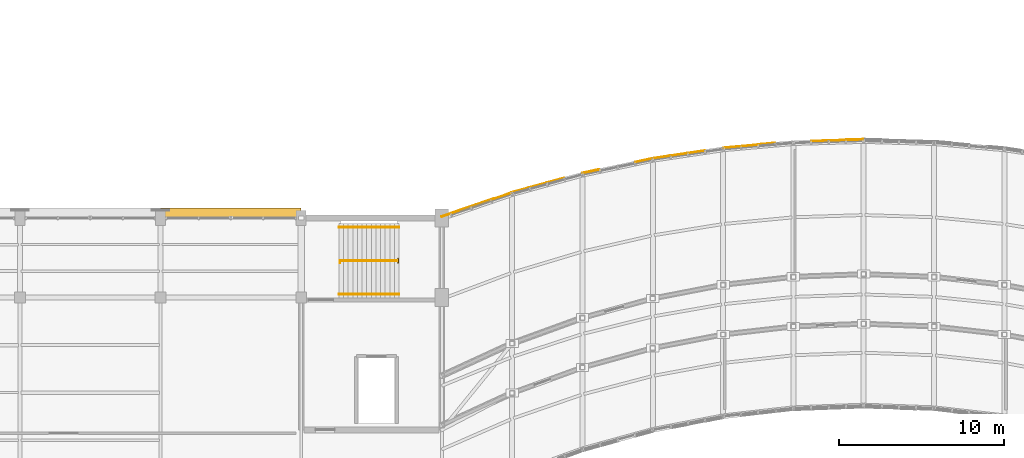
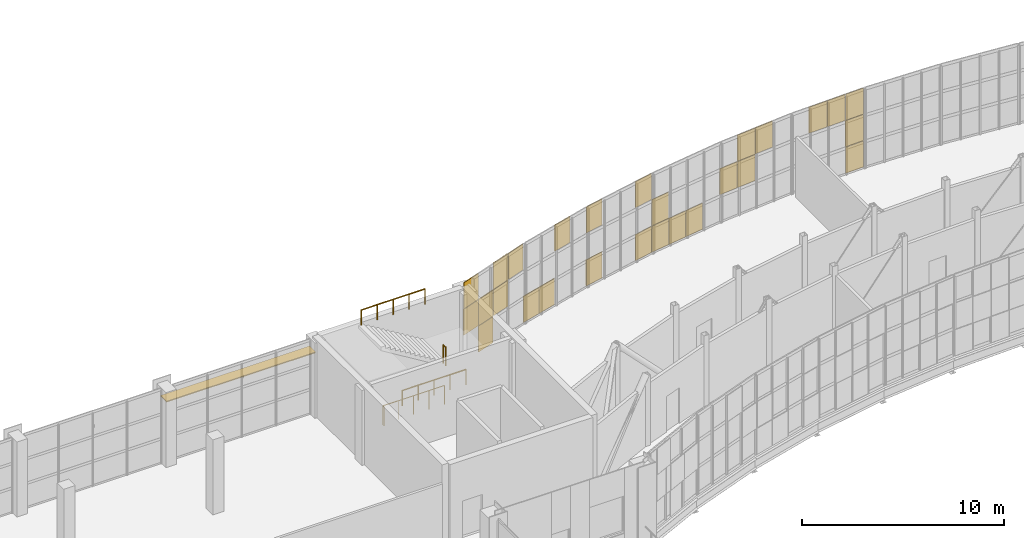
# One storey, part 81 of 86: 27 coverings, 4 railings, 1 shading device.
"""IFC4 building model written with IfcOpenShell, lengths in metres."""

from ifc_helpers import new_model, si_unit, direction, frame, origin, origin_2d, place, context, subcontext, project, spatial, rectangle, hollow_rectangle, circle, extrude, material, layer, layer_set, material_profile, profile_set, type_object, element, save


model = new_model("IFC4")

# Units and contexts
model_context = context("Model", 3, precision=1e-05, world=origin(), true_north=direction((0.0, 1.0)))
body_context = subcontext(model_context, "Body", "Model", "MODEL_VIEW")
ifc_project = project(units=[si_unit("LENGTHUNIT", "METRE"), si_unit("AREAUNIT", "SQUARE_METRE"), si_unit("VOLUMEUNIT", "CUBIC_METRE"), si_unit("PLANEANGLEUNIT", "RADIAN"), si_unit("MASSUNIT", "GRAM", prefix="KILO")], contexts=[model_context])

# Site, building, storey
site_placement = place(None, origin())
site = spatial("IfcSite", under=ifc_project, at=site_placement, CompositionType="ELEMENT")
building_placement = place(site_placement, origin())
building = spatial("IfcBuilding", under=site, at=building_placement, Name="Solvikara Media Centre", CompositionType="ELEMENT")
storey_placement = place(building_placement, frame((0.0, 0.0, 15.0)))
storey = spatial("IfcBuildingStorey", under=building, at=storey_placement, Name="L03", CompositionType="ELEMENT", Elevation=15.0)

# Coverings
ifc_material_1 = material(Name="GFRC white mineral architectural rainscreen panel")
ifc_layer_1 = layer(ifc_material_1, 0.050048828125)
ifc_layer_set_1 = layer_set([ifc_layer_1], Name="GFRC white mineral architectural rainscreen panel")
covering_type_1 = type_object("IfcCoveringType", Name="CV-04", PredefinedType="CLADDING", material=ifc_layer_set_1)
for number, where, z_axis, x_axis, name in (
    (1, (77.0009765625, 37.072021484375, 1.61474609375), (0.0, 0.0, 1.0), (0.945807995037, 0.324726402566, 0.0), "CW-L03-NARC-00-SF-01"),
    (2, (78.06298828125, 37.43603515625, 0.01513671875), (0.0, 0.0, 1.0), (0.945807995037, 0.324726402566, 0.0), "CW-L03-NARC-00-SF-10"),
    (3, (78.06298828125, 37.43603515625, 1.61474609375), (0.0, 0.0, 1.0), (0.945807995037, 0.324726402566, 0.0), "CW-L03-NARC-00-SF-11"),
    (4, (79.1259765625, 37.802001953125, 1.61474609375), (0.0, 0.0, 1.0), (0.945807995037, 0.324726402566, 0.0), "CW-L03-NARC-00-SF-21"),
    (5, (79.1259765625, 37.802001953125, 3.21484375), (0.0, 0.0, 1.0), (0.945807995037, 0.324726402566, 0.0), "CW-L03-NARC-00-SF-22"),
):
    element("IfcCovering", number, at=place(storey_placement, frame(where, z_axis=z_axis, x_axis=x_axis)), inside=storey, type_object=covering_type_1, Name=name, PredefinedType="CLADDING", context=body_context, shape_type="SweptSolid", body=[
        extrude(rectangle(XDim=1.093017578125, YDim=0.050048828125, at=origin_2d()), origin(), (0.0, 0.0, 1.0), 1.570068359375),
    ])
covering_1_placement = place(storey_placement, frame((81.256103515625, 38.4970703125, 0.01513671875), z_axis=(0.0, 0.0, 1.0), x_axis=(0.964289807992, 0.26484932736, 0.0)))
element("IfcCovering", 6, at=covering_1_placement, inside=storey, type_object=covering_type_1, Name="CW-L03-NARC-01-SF-00", PredefinedType="CLADDING", context=body_context, shape_type="SweptSolid", body=[
    extrude(rectangle(XDim=1.072021484375, YDim=0.050048828125, at=origin_2d()), origin(), (0.0, 0.0, 1.0), 1.570068359375),
])
for number, where, z_axis, x_axis, name in (
    (7, (82.319091796875, 38.7900390625, 0.01513671875), (0.0, 0.0, 1.0), (0.964049041264, 0.265724379832, 0.0), "CW-L03-NARC-01-SF-10"),
    (8, (83.381103515625, 39.08203125, 3.21484375), (0.0, 0.0, 1.0), (0.964049041264, 0.265724379832, 0.0), "CW-L03-NARC-01-SF-22"),
):
    element("IfcCovering", number, at=place(storey_placement, frame(where, z_axis=z_axis, x_axis=x_axis)), inside=storey, type_object=covering_type_1, Name=name, PredefinedType="CLADDING", context=body_context, shape_type="SweptSolid", body=[
        extrude(rectangle(XDim=1.072998046875, YDim=0.050048828125, at=origin_2d()), origin(), (0.0, 0.0, 1.0), 1.570068359375),
    ])
covering_2_placement = place(storey_placement, frame((85.511962890625, 39.635009765625, 0.01513671875), z_axis=(0.0, 0.0, 1.0), x_axis=(0.978447760018, 0.206494505776, 0.0)))
element("IfcCovering", 9, at=covering_2_placement, inside=storey, type_object=covering_type_1, Name="CW-L03-NARC-02-SF-00", PredefinedType="CLADDING", context=body_context, shape_type="SweptSolid", body=[
    extrude(rectangle(XDim=1.055908203125, YDim=0.050048828125, at=origin_2d()), origin(), (0.0, 0.0, 1.0), 1.570068359375),
])
covering_3_placement = place(storey_placement, frame((96.14794921875, 41.29296875, 3.21484375), z_axis=(0.0, 0.0, 1.0), x_axis=(0.996050368938, 0.088789991203, 0.0)))
element("IfcCovering", 10, at=covering_3_placement, inside=storey, type_object=covering_type_1, Name="CW-L03-NARC-04-SF-22", PredefinedType="CLADDING", context=body_context, shape_type="SweptSolid", body=[
    extrude(rectangle(XDim=1.035888671875, YDim=0.050048828125, at=origin_2d()), origin(), (0.0, 0.0, 1.0), 1.570068359375),
])
covering_4_placement = place(storey_placement, frame((101.466064453125, 41.5458984375, 1.61474609375), z_axis=(0.0, 0.0, 1.0), x_axis=(0.999548919735, 0.030032599908, 0.0)))
element("IfcCovering", 11, at=covering_4_placement, inside=storey, type_object=covering_type_1, Name="CW-L03-NARC-05-SF-31", PredefinedType="CLADDING", context=body_context, shape_type="SweptSolid", body=[
    extrude(rectangle(XDim=1.031982421875, YDim=0.050048828125, at=origin_2d()), origin(), (0.0, 0.0, 1.0), 1.570068359375),
])
ifc_material_2 = material(Name="Insulated silver-pearl glass spandrel panel", Category="glass")
ifc_layer_2 = layer(ifc_material_2, 0.034912109375)
ifc_layer_set_2 = layer_set([ifc_layer_2], Name="Insulated silver-pearl glass spandrel panel")
covering_type_2 = type_object("IfcCoveringType", Name="CV-06", PredefinedType="CLADDING", material=ifc_layer_set_2)
covering_5_placement = place(storey_placement, frame((77.00390625, 37.06201171875, 3.21484375), z_axis=(0.0, 0.0, 1.0), x_axis=(0.945529939496, 0.325535149434, 0.0)))
element("IfcCovering", 12, at=covering_5_placement, inside=storey, type_object=covering_type_2, Name="CW-L03-NARC-00-PX-02", PredefinedType="CLADDING", context=body_context, shape_type="SweptSolid", body=[
    extrude(rectangle(XDim=1.093994140625, YDim=0.034912109375, at=origin_2d()), origin(), (0.0, 0.0, 1.0), 1.570068359375),
])
covering_6_placement = place(storey_placement, frame((80.19189453125, 38.156982421875, 3.21484375), z_axis=(0.0, 0.0, 1.0), x_axis=(0.945626486098, 0.325254590729, 0.0)))
element("IfcCovering", 13, at=covering_6_placement, inside=storey, type_object=covering_type_2, Name="CW-L03-NARC-00-PX-32", PredefinedType="CLADDING", context=body_context, shape_type="SweptSolid", body=[
    extrude(rectangle(XDim=1.094970703125, YDim=0.034912109375, at=origin_2d()), origin(), (0.0, 0.0, 1.0), 1.570068359375),
])
for number, where, z_axis, x_axis, name in (
    (14, (85.512939453125, 39.6259765625, 3.21484375), (0.0, 0.0, 1.0), (0.978256328953, 0.207399505455, 0.0), "CW-L03-NARC-02-PX-02"),
    (15, (88.701904296875, 40.299072265625, 0.01513671875), (0.0, 0.0, 1.0), (0.978447760018, 0.206494505776, 0.0), "CW-L03-NARC-02-PX-30"),
    (16, (88.701904296875, 40.299072265625, 3.21484375), (0.0, 0.0, 1.0), (0.978447760018, 0.206494505776, 0.0), "CW-L03-NARC-02-PX-32"),
):
    element("IfcCovering", number, at=place(storey_placement, frame(where, z_axis=z_axis, x_axis=x_axis)), inside=storey, type_object=covering_type_2, Name=name, PredefinedType="CLADDING", context=body_context, shape_type="SweptSolid", body=[
        extrude(rectangle(XDim=1.055908203125, YDim=0.034912109375, at=origin_2d()), origin(), (0.0, 0.0, 1.0), 1.570068359375),
    ])
for number, where, z_axis, x_axis, name in (
    (17, (89.76806640625, 40.491943359375, 0.01513671875), (0.0, 0.0, 1.0), (0.988930567215, 0.148379018826, 0.0), "CW-L03-NARC-03-PX-00"),
    (18, (89.76806640625, 40.491943359375, 1.61474609375), (0.0, 0.0, 1.0), (0.988930567215, 0.148379018826, 0.0), "CW-L03-NARC-03-PX-01"),
):
    element("IfcCovering", number, at=place(storey_placement, frame(where, z_axis=z_axis, x_axis=x_axis)), inside=storey, type_object=covering_type_2, Name=name, PredefinedType="CLADDING", context=body_context, shape_type="SweptSolid", body=[
        extrude(rectangle(XDim=1.044921875, YDim=0.034912109375, at=origin_2d()), origin(), (0.0, 0.0, 1.0), 1.570068359375),
    ])
for number, where, z_axis, x_axis, name in (
    (19, (90.83203125, 40.64990234375, 0.01513671875), (0.0, 0.0, 1.0), (0.989069971909, 0.147446907963, 0.0), "CW-L03-NARC-03-PX-10"),
    (20, (91.89306640625, 40.80908203125, 0.01513671875), (0.0, 0.0, 1.0), (0.989069971909, 0.147446907963, 0.0), "CW-L03-NARC-03-PX-20"),
):
    element("IfcCovering", number, at=place(storey_placement, frame(where, z_axis=z_axis, x_axis=x_axis)), inside=storey, type_object=covering_type_2, Name=name, PredefinedType="CLADDING", context=body_context, shape_type="SweptSolid", body=[
        extrude(rectangle(XDim=1.0439453125, YDim=0.034912109375, at=origin_2d()), origin(), (0.0, 0.0, 1.0), 1.570068359375),
    ])
covering_7_placement = place(storey_placement, frame((94.02392578125, 41.094970703125, 1.61474609375), z_axis=(0.0, 0.0, 1.0), x_axis=(0.996050368938, 0.088789991203, 0.0)))
element("IfcCovering", 21, at=covering_7_placement, inside=storey, type_object=covering_type_2, Name="CW-L03-NARC-04-PX-01", PredefinedType="CLADDING", context=body_context, shape_type="SweptSolid", body=[
    extrude(rectangle(XDim=1.035888671875, YDim=0.034912109375, at=origin_2d()), origin(), (0.0, 0.0, 1.0), 1.570068359375),
])
for number, where, z_axis, x_axis, name in (
    (22, (95.0869140625, 41.18896484375, 1.61474609375), (0.0, 0.0, 1.0), (0.996058113534, 0.088703069073, 0.0), "CW-L03-NARC-04-PX-11"),
    (23, (95.0869140625, 41.18896484375, 3.21484375), (0.0, 0.0, 1.0), (0.996058113534, 0.088703069073, 0.0), "CW-L03-NARC-04-PX-12"),
):
    element("IfcCovering", number, at=place(storey_placement, frame(where, z_axis=z_axis, x_axis=x_axis)), inside=storey, type_object=covering_type_2, Name=name, PredefinedType="CLADDING", context=body_context, shape_type="SweptSolid", body=[
        extrude(rectangle(XDim=1.037109375, YDim=0.034912109375, at=origin_2d()), origin(), (0.0, 0.0, 1.0), 1.570068359375),
    ])
covering_8_placement = place(storey_placement, frame((99.341064453125, 41.471923828125, 3.21484375), z_axis=(0.0, 0.0, 1.0), x_axis=(0.999549967461, 0.02999770905, 0.0)))
element("IfcCovering", 24, at=covering_8_placement, inside=storey, type_object=covering_type_2, Name="CW-L03-NARC-05-PX-12", PredefinedType="CLADDING", context=body_context, shape_type="SweptSolid", body=[
    extrude(rectangle(XDim=1.032958984375, YDim=0.034912109375, at=origin_2d()), origin(), (0.0, 0.0, 1.0), 1.570068359375),
])
covering_9_placement = place(storey_placement, frame((100.404052734375, 41.50390625, 3.21484375), z_axis=(0.0, 0.0, 1.0), x_axis=(0.999548919735, 0.030032599908, 0.0)))
element("IfcCovering", 25, at=covering_9_placement, inside=storey, type_object=covering_type_2, Name="CW-L03-NARC-05-PX-22", PredefinedType="CLADDING", context=body_context, shape_type="SweptSolid", body=[
    extrude(rectangle(XDim=1.031982421875, YDim=0.034912109375, at=origin_2d()), origin(), (0.0, 0.0, 1.0), 1.570068359375),
])
for number, where, z_axis, x_axis, name in (
    (26, (101.466064453125, 41.534912109375, 0.01513671875), (0.0, 0.0, 1.0), (0.999549967461, 0.02999770905, 0.0), "CW-L03-NARC-05-PX-30"),
    (27, (101.466064453125, 41.534912109375, 3.21484375), (0.0, 0.0, 1.0), (0.999549967461, 0.02999770905, 0.0), "CW-L03-NARC-05-PX-32"),
):
    element("IfcCovering", number, at=place(storey_placement, frame(where, z_axis=z_axis, x_axis=x_axis)), inside=storey, type_object=covering_type_2, Name=name, PredefinedType="CLADDING", context=body_context, shape_type="SweptSolid", body=[
        extrude(rectangle(XDim=1.032958984375, YDim=0.034912109375, at=origin_2d()), origin(), (0.0, 0.0, 1.0), 1.570068359375),
    ])

# Railings
ifc_material_3 = material(Name="Steel S355JR", Category="steel")
railing_type_1 = type_object("IfcRailingType", Name="GR-01", PredefinedType="GUARDRAIL", material=ifc_material_3)
railing_1_placement = place(storey_placement, frame((70.340087890625, 34.10009765625, 0.0)))
element("IfcRailing", 28, at=railing_1_placement, inside=storey, type_object=railing_type_1, Name="GR-C3-L02-W", PredefinedType="GUARDRAIL", context=body_context, shape_type="SweptSolid", body=[
    extrude(circle(Radius=0.02392578125, at=origin_2d()), frame((0.0, 0.0, 1.1259765625), z_axis=(0.0, 1.0, 0.0), x_axis=(-1.0, 0.0, 0.0)), (0.0, 0.0, 1.0), 0.119873046875),
    extrude(circle(Radius=0.02392578125, at=origin_2d()), frame((0.0, 0.119873046875, 1.1259765625), z_axis=(1.0, 0.0, 0.0), x_axis=(0.0, 1.0, 0.0)), (0.0, 0.0, 1.0), 3.52001953125),
    extrude(circle(Radius=0.02099609375, at=origin_2d()), origin(), (0.0, 0.0, 1.0), 1.101806640625),
    extrude(circle(Radius=0.02099609375, at=origin_2d()), frame((0.0, 0.119873046875, 0.0)), (0.0, 0.0, 1.0), 1.101806640625),
    extrude(circle(Radius=0.02099609375, at=origin_2d()), frame((0.8798828125, 0.119873046875, 0.0)), (0.0, 0.0, 1.0), 1.101806640625),
    extrude(circle(Radius=0.02099609375, at=origin_2d()), frame((1.760009765625, 0.119873046875, 0.0)), (0.0, 0.0, 1.0), 1.101806640625),
    extrude(circle(Radius=0.02099609375, at=origin_2d()), frame((2.64013671875, 0.119873046875, 0.0)), (0.0, 0.0, 1.0), 1.101806640625),
    extrude(circle(Radius=0.02099609375, at=origin_2d()), frame((3.52001953125, 0.119873046875, 0.0)), (0.0, 0.0, 1.0), 1.101806640625),
])
railing_type_2 = type_object("IfcRailingType", Name="GR-02", PredefinedType="BALUSTRADE", material=ifc_material_3)
railing_2_placement = place(storey_placement, frame((73.860107421875, 34.10009765625, 2.39990234375)))
element("IfcRailing", 29, at=railing_2_placement, inside=storey, type_object=railing_type_2, Name="GR-C3-L03-M", PredefinedType="BALUSTRADE", context=body_context, shape_type="SweptSolid", body=[
    extrude(circle(Radius=0.02392578125, at=origin_2d()), frame((0.0, 0.0, 1.09619140625), z_axis=(0.0, 1.0, 0.0), x_axis=(-1.0, 0.0, 0.0)), (0.0, 0.0, 1.0), 0.25),
    extrude(circle(Radius=0.02099609375, at=origin_2d()), origin(), (0.0, 0.0, 1.0), 1.072021484375),
    extrude(circle(Radius=0.02099609375, at=origin_2d()), frame((0.0, 0.25, 0.0)), (0.0, 0.0, 1.0), 1.072021484375),
])
railing_type_3 = type_object("IfcRailingType", Name="HR-01", PredefinedType="HANDRAIL", material=ifc_material_3)
railing_3_placement = place(storey_placement, frame((70.280029296875, 32.199951171875, 2.39990234375)))
element("IfcRailing", 30, at=railing_3_placement, inside=storey, type_object=railing_type_3, Name="HR-C3-L03-1", PredefinedType="HANDRAIL", context=body_context, shape_type="SweptSolid", body=[
    extrude(circle(Radius=0.02392578125, at=origin_2d()), frame((0.0, 0.0, 0.89599609375), z_axis=(1.0, 0.0, 0.0), x_axis=(0.0, 1.0, 0.0)), (0.0, 0.0, 1.0), 3.639892578125),
    extrude(circle(Radius=0.02099609375, at=origin_2d()), origin(), (0.0, 0.0, 1.0), 0.871826171875),
    extrude(circle(Radius=0.02099609375, at=origin_2d()), frame((0.909912109375, 0.0, 0.0)), (0.0, 0.0, 1.0), 0.871826171875),
    extrude(circle(Radius=0.02099609375, at=origin_2d()), frame((1.81982421875, 0.0, 0.0)), (0.0, 0.0, 1.0), 0.871826171875),
    extrude(circle(Radius=0.02099609375, at=origin_2d()), frame((2.72998046875, 0.0, 0.0)), (0.0, 0.0, 1.0), 0.871826171875),
    extrude(circle(Radius=0.02099609375, at=origin_2d()), frame((3.639892578125, 0.0, 0.0)), (0.0, 0.0, 1.0), 0.871826171875),
])
railing_4_placement = place(storey_placement, frame((73.919921875, 36.25, 4.800048828125)))
element("IfcRailing", 31, at=railing_4_placement, inside=storey, type_object=railing_type_3, Name="HR-C3-L03-2", PredefinedType="HANDRAIL", context=body_context, shape_type="SweptSolid", body=[
    extrude(circle(Radius=0.02392578125, at=origin_2d()), frame((0.0, 0.0, 0.89599609375), z_axis=(-1.0, 0.0, 0.0), x_axis=(0.0, -1.0, 0.0)), (0.0, 0.0, 1.0), 3.639892578125),
    extrude(circle(Radius=0.02099609375, at=origin_2d()), origin(), (0.0, 0.0, 1.0), 0.871826171875),
    extrude(circle(Radius=0.02099609375, at=origin_2d()), frame((-0.909912109375, 0.0, 0.0)), (0.0, 0.0, 1.0), 0.871826171875),
    extrude(circle(Radius=0.02099609375, at=origin_2d()), frame((-1.81982421875, 0.0, 0.0)), (0.0, 0.0, 1.0), 0.871826171875),
    extrude(circle(Radius=0.02099609375, at=origin_2d()), frame((-2.72998046875, 0.0, 0.0)), (0.0, 0.0, 1.0), 0.871826171875),
    extrude(circle(Radius=0.02099609375, at=origin_2d()), frame((-3.639892578125, 0.0, 0.0)), (0.0, 0.0, 1.0), 0.871826171875),
])

# Shading device
ifc_material_4 = material(Name="Anodised aluminium EN AW-6063", Category="aluminium")
ifc_material_profile = material_profile(ifc_material_4, hollow_rectangle(XDim=0.60009765625, YDim=0.06005859375, WallThickness=0.00341796875, at=origin_2d()), Name="ALU-LOUVRE 60x600x3.5")
ifc_profile_set = profile_set([ifc_material_profile], Name="Anodised aluminium EN AW-6063")
shading_device_type = type_object("IfcShadingDeviceType", Name="SH-02", PredefinedType="JALOUSIE", material=ifc_profile_set)
shading_device_placement = place(storey_placement, frame((59.5, 37.10009765625, 3.60009765625), z_axis=(1.0, 0.0, 0.0), x_axis=(0.0, 1.0, 0.0)))
element("IfcShadingDevice", 32, at=shading_device_placement, inside=storey, type_object=shading_device_type, Name="LVR-L03-012", PredefinedType="JALOUSIE", context=body_context, shape_type="SweptSolid", body=[
    extrude(hollow_rectangle(XDim=0.60009765625, YDim=0.06005859375, WallThickness=0.00341796875, at=origin_2d()), origin(), (0.0, 0.0, 1.0), 8.5),
])

save(model, "model.ifc")
